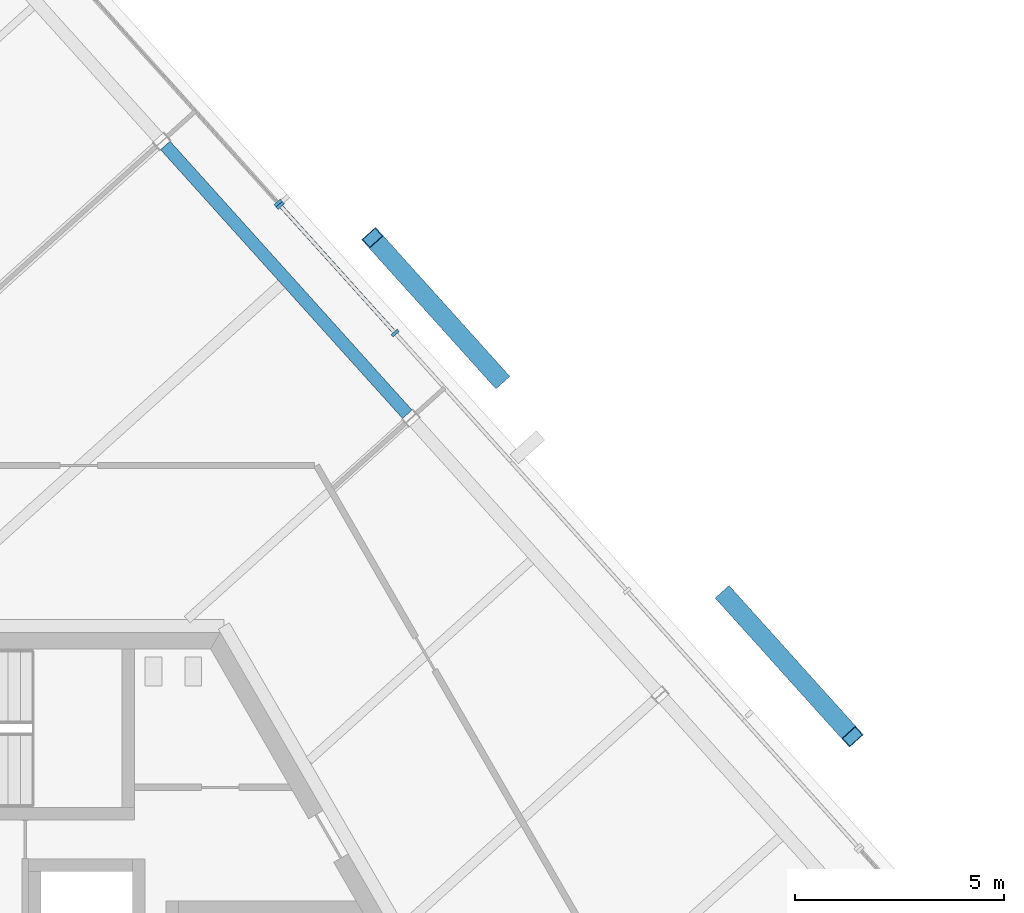
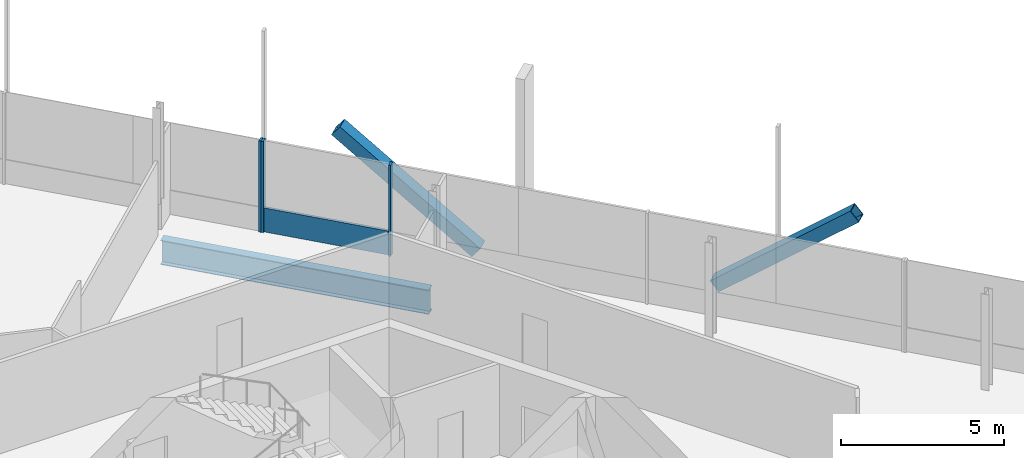
# One storey, part 8 of 17: 6 members, 1 beam, 2 elements without a shape of their own.
"""IFC4 building model written with IfcOpenShell, lengths in metres."""

from ifc_helpers import new_model, si_unit, direction, frame, origin, origin_2d, place, context, subcontext, project, spatial, rectangle, hollow_rectangle, i_section, extrude, source, transform, mapped, material, material_profile, profile_set, type_object, element, aggregate, save


model = new_model("IFC4")

# Units and contexts
model_context = context("Model", 3, precision=1e-05, world=origin(), true_north=direction((0.0, 1.0)))
body_context = subcontext(model_context, "Body", "Model", "MODEL_VIEW")
ifc_project = project(units=[si_unit("LENGTHUNIT", "METRE"), si_unit("AREAUNIT", "SQUARE_METRE"), si_unit("VOLUMEUNIT", "CUBIC_METRE"), si_unit("PLANEANGLEUNIT", "RADIAN"), si_unit("MASSUNIT", "GRAM", prefix="KILO")], contexts=[model_context])

# Site, building, storey
site_placement = place(None, origin())
site = spatial("IfcSite", under=ifc_project, at=site_placement, CompositionType="ELEMENT")
building_placement = place(site_placement, origin())
building = spatial("IfcBuilding", under=site, at=building_placement, Name="Triune Harvest Tower", CompositionType="ELEMENT")
storey_placement = place(building_placement, frame((0.0, 0.0, 281.10009765625)))
storey = spatial("IfcBuildingStorey", under=building, at=storey_placement, Name="L74", CompositionType="ELEMENT", Elevation=281.10009765625)

# Beam
ifc_material_1 = material(Name="Steel ASTM A992 Gr 50", Category="steel")
ifc_material_profile_1 = material_profile(ifc_material_1, i_section(OverallWidth=0.3046875, OverallDepth=0.914306640625, WebThickness=0.0166015625, FlangeThickness=0.02587890625, at=origin_2d()), Name="W36x160")
ifc_profile_set_1 = profile_set([ifc_material_profile_1], Name="Steel ASTM A992 Gr 50")
beam_type = type_object("IfcBeamType", Name="SB-1 Spandrel beam W36x160", PredefinedType="SPANDREL", material=ifc_profile_set_1)
shared_shape_1 = source(origin(), body_context, "Body", "SweptSolid", [
    extrude(i_section(OverallWidth=0.3046875, OverallDepth=0.914306640625, WebThickness=0.0166015625, FlangeThickness=0.02587890625, at=origin_2d()), origin(), (0.0, 0.0, 1.0), 8.67138671875),
])
beam_placement = place(storey_placement, frame((10.4853515625, 15.62060546875, -0.6171875), z_axis=(-0.669128044683, 0.743147132013, 0.0), x_axis=(-0.743147132013, -0.669128044683, 0.0)))
element("IfcBeam", 1, at=beam_placement, inside=storey, type_object=beam_type, Name="beam/L74/SB4", PredefinedType="SPANDREL", context=body_context, shape_type="MappedRepresentation", body=[
    mapped(shared_shape_1, transform((0.0, 0.0, 0.0), scale=1.0)),
])

# Members
ifc_material_2 = material(Name="Steel ASTM A572 Gr 50", Category="steel")
ifc_material_profile_2 = material_profile(ifc_material_2, hollow_rectangle(XDim=0.449951171875, YDim=0.449951171875, WallThickness=0.02490234375, at=origin_2d()), Name="Box 450x450x25")
ifc_profile_set_2 = profile_set([ifc_material_profile_2], Name="Steel ASTM A572 Gr 50")
member_type_1 = type_object("IfcMemberType", Name="BR-4 Brace Box 450x450x25", PredefinedType="BRACE", material=ifc_profile_set_2)
shared_shape_2 = source(origin(), body_context, "Body", "SweptSolid", [
    extrude(hollow_rectangle(XDim=0.449951171875, YDim=0.449951171875, WallThickness=0.02490234375, at=origin_2d()), origin(), (0.0, 0.0, 1.0), 5.7890625),
])
for number, where, z_axis, x_axis, name in (
    (2, (12.68408203125, 16.482421875, 0.0), (-0.52403773596, 0.581982999859, 0.621836183545), (-0.743133466604, -0.669143221451, 0.0), "brace/B7-F1/d1/7"),
    (3, (18.126708984375, 11.259521484375, 0.0), (0.52403773596, -0.581982999859, 0.621836183545), (0.743133466604, 0.669143221451, 0.0), "brace/B7-F1/d2/7"),
):
    element("IfcMember", number, at=place(storey_placement, frame(where, z_axis=z_axis, x_axis=x_axis)), inside=storey, type_object=member_type_1, Name=name, PredefinedType="BRACE", context=body_context, shape_type="MappedRepresentation", body=[
        mapped(shared_shape_2, transform((0.0, 0.0, 0.0), scale=1.0)),
    ])

# Curtain wall, members
ifc_material_3 = material(Name="Aluminium bronze anodised", Category="aluminium")
curtain_wall_type_1 = type_object("IfcCurtainWallType", Name="CW-7 Tower stick curtain wall with insulated spandrel infill", PredefinedType="NOTDEFINED", material=ifc_material_3)
curtain_wall_1_placement = place(storey_placement, origin())
curtain_wall_1 = element("IfcCurtainWall", 4, at=curtain_wall_1_placement, inside=storey, type_object=curtain_wall_type_1, Name="CW-7 B7-F1 L74 run 1001")
ifc_material_4 = material(Name="Aluminium bronze anodised", Category="aluminium")
ifc_material_profile_3 = material_profile(ifc_material_4, rectangle(XDim=0.090087890625, YDim=0.89990234375, at=origin_2d()), Name="TR-1 transom 90 x 900")
ifc_profile_set_3 = profile_set([ifc_material_profile_3], Name="Aluminium bronze anodised")
member_type_2 = type_object("IfcMemberType", Name="TR-1 transom 90 x 900", PredefinedType="USERDEFINED", material=ifc_profile_set_3)
shared_shape_3 = source(origin(), body_context, "Body", "SweptSolid", [
    extrude(rectangle(XDim=0.090087890625, YDim=0.89990234375, at=origin_2d()), origin(), (0.0, 0.0, 1.0), 4.043212890625),
])
member_1_placement = place(storey_placement, frame((10.168701171875, 17.5947265625, 0.449951171875), z_axis=(-0.669121516472, 0.743153009947, 0.0), x_axis=(-0.743153009947, -0.669121516472, 0.0)))
member_1 = element("IfcMember", 5, at=member_1_placement, type_object=member_type_2, Name="CW-7 transom B7-F1 1001.3", ObjectType="TRANSOM", PredefinedType="USERDEFINED", context=body_context, shape_type="MappedRepresentation", body=[
    mapped(shared_shape_3, transform((0.0, 0.0, 0.0), scale=1.0)),
])
ifc_material_5 = material(Name="Aluminium bronze anodised", Category="aluminium")
ifc_material_profile_4 = material_profile(ifc_material_5, rectangle(XDim=0.199951171875, YDim=0.074951171875, at=origin_2d()), Name="MU-1 mullion 75 x 200")
ifc_profile_set_4 = profile_set([ifc_material_profile_4], Name="Aluminium bronze anodised")
member_type_3 = type_object("IfcMemberType", Name="MU-1 mullion 75 x 200", PredefinedType="MULLION", material=ifc_profile_set_4)
shared_shape_4 = source(origin(), body_context, "Body", "SweptSolid", [
    extrude(rectangle(XDim=0.199951171875, YDim=0.074951171875, at=origin_2d()), origin(), (0.0, 0.0, 1.0), 3.419921875),
])
member_2_placement = place(storey_placement, frame((10.19384765625, 17.566650390625, 0.0), z_axis=(0.0, 0.0, 1.0), x_axis=(-0.74314408674, -0.669131426809, 0.0)))
member_2 = element("IfcMember", 6, at=member_2_placement, type_object=member_type_3, Name="CW-7 mullion B7-F1 1001.5", PredefinedType="MULLION", context=body_context, shape_type="MappedRepresentation", body=[
    mapped(shared_shape_4, transform((0.0, 0.0, 0.0), scale=1.0)),
])
member_3_placement = place(storey_placement, frame((7.438232421875, 20.627197265625, 0.0), z_axis=(0.0, 0.0, 1.0), x_axis=(-0.74314408674, -0.669131426809, 0.0)))
member_3 = element("IfcMember", 7, at=member_3_placement, type_object=member_type_3, Name="CW-7 mullion B7-F1 1001.6", PredefinedType="MULLION", context=body_context, shape_type="MappedRepresentation", body=[
    mapped(shared_shape_4, transform((0.0, 0.0, 0.0), scale=1.0)),
])
aggregate(curtain_wall_1, [member_2, member_3, member_1])

# Curtain wall, member
ifc_material_6 = material(Name="Aluminium bronze anodised", Category="aluminium")
curtain_wall_type_2 = type_object("IfcCurtainWallType", Name="CW-1 Tower stick curtain wall", PredefinedType="NOTDEFINED", material=ifc_material_6)
curtain_wall_2_placement = place(storey_placement, origin())
curtain_wall_2 = element("IfcCurtainWall", 8, at=curtain_wall_2_placement, inside=storey, type_object=curtain_wall_type_2, Name="CW-1 B7-F1 L74 run 2001")
member_4_placement = place(storey_placement, frame((7.387939453125, 20.682861328125, 0.0), z_axis=(0.0, 0.0, 1.0), x_axis=(-0.743144053222, -0.669131464034, 0.0)))
member_4 = element("IfcMember", 9, at=member_4_placement, type_object=member_type_3, Name="CW-1 mullion B7-F1 2001.1", PredefinedType="MULLION", context=body_context, shape_type="MappedRepresentation", body=[
    mapped(shared_shape_4, transform((0.0, 0.0, 0.0), scale=1.0)),
])
aggregate(curtain_wall_2, [member_4])

save(model, "model.ifc")
